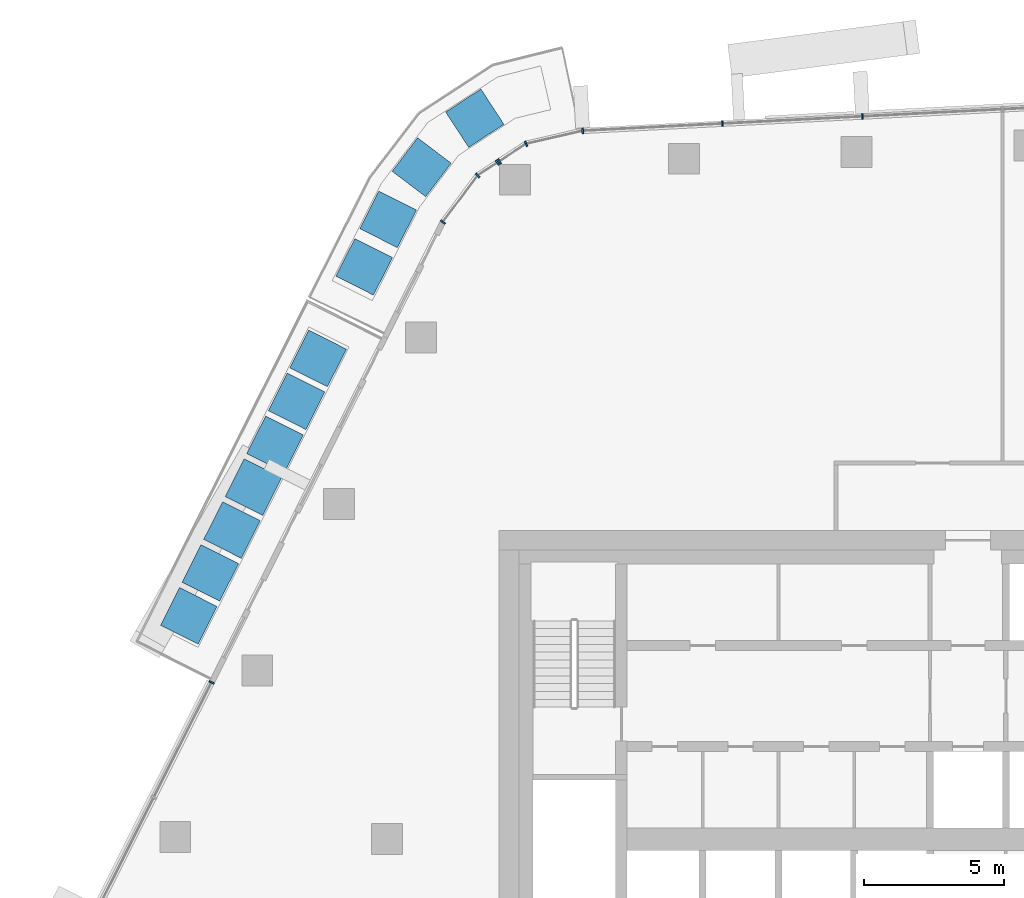
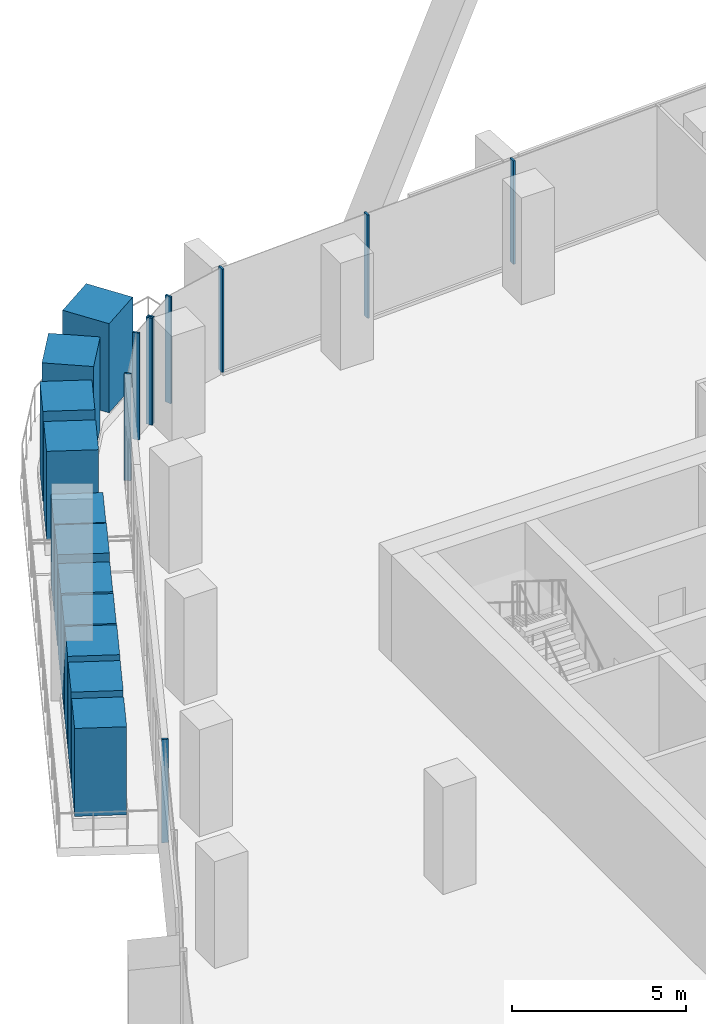
# One storey, part 5 of 20: 20 members, 4 elements without a shape of their own.
"""IFC4 building model written with IfcOpenShell, lengths in metres."""

from ifc_helpers import new_model, si_unit, direction, frame, origin, origin_2d, place, context, subcontext, project, spatial, rectangle, extrude, material, layer, layer_set, material_profile, profile_set, type_object, element, aggregate, save


model = new_model("IFC4")

# Units and contexts
model_context = context("Model", 3, precision=1e-05, world=origin(), true_north=direction((0.0, 1.0)))
body_context = subcontext(model_context, "Body", "Model", "MODEL_VIEW")
ifc_project = project(units=[si_unit("LENGTHUNIT", "METRE"), si_unit("AREAUNIT", "SQUARE_METRE"), si_unit("VOLUMEUNIT", "CUBIC_METRE"), si_unit("PLANEANGLEUNIT", "RADIAN"), si_unit("MASSUNIT", "GRAM", prefix="KILO")], contexts=[model_context])

# Site, building, storey
site_placement = place(None, origin())
site = spatial("IfcSite", under=ifc_project, at=site_placement, CompositionType="ELEMENT")
building_placement = place(site_placement, origin())
building = spatial("IfcBuilding", under=site, at=building_placement, Name="Dongbaek Canopy Tower", CompositionType="ELEMENT")
storey_placement = place(building_placement, frame((0.0, 0.0, 228.60009765625)))
storey = spatial("IfcBuildingStorey", under=building, at=storey_placement, Name="L47", CompositionType="ELEMENT", Elevation=228.60009765625)

# Curtain wall, members
ifc_material_1 = material(Name="Aluminium 6063-T6 pale anodised", Category="aluminium")
ifc_layer = layer(ifc_material_1, 0.199951171875)
ifc_layer_set = layer_set([ifc_layer], Name="CW-1 unitised tower curtain wall")
curtain_wall_type = type_object("IfcCurtainWallType", Name="CW-1 unitised tower curtain wall", PredefinedType="NOTDEFINED", material=ifc_layer_set)
curtain_wall_1_placement = place(storey_placement, origin())
curtain_wall_1 = element("IfcCurtainWall", 1, at=curtain_wall_1_placement, inside=storey, type_object=curtain_wall_type, Name="CW-1 curtain wall F1.1", PredefinedType="NOTDEFINED")
ifc_material_2 = material(Name="Aluminium 6063-T6 pale anodised", Category="aluminium")
ifc_material_profile_1 = material_profile(ifc_material_2, rectangle(XDim=0.199951171875, YDim=0.06005859375, at=origin_2d()), Name="CW-1 mullion 60 x 200")
ifc_profile_set_1 = profile_set([ifc_material_profile_1], Name="Aluminium 6063-T6 pale anodised")
member_type_1 = type_object("IfcMemberType", Name="CW-1 mullion 60 x 200", PredefinedType="MULLION", material=ifc_profile_set_1)
member_1_placement = place(storey_placement, frame((-1.058349609375, 25.747802734375, 0.119873046875), z_axis=(0.0, 0.0, 1.0), x_axis=(-0.051171421559, 0.998689884607, 0.0)))
member_1 = element("IfcMember", 2, at=member_1_placement, type_object=member_type_1, Name="CW-1 mullion F1.1.3", PredefinedType="MULLION", context=body_context, shape_type="SweptSolid", body=[
    extrude(rectangle(XDim=0.199951171875, YDim=0.06005859375, at=origin_2d()), origin(), (0.0, 0.0, 1.0), 3.630126953125),
])
member_2_placement = place(storey_placement, frame((-6.045654296875, 25.492431640625, 0.119873046875), z_axis=(0.0, 0.0, 1.0), x_axis=(-0.051171421559, 0.998689884607, 0.0)))
member_2 = element("IfcMember", 3, at=member_2_placement, type_object=member_type_1, Name="CW-1 mullion F1.1.4", PredefinedType="MULLION", context=body_context, shape_type="SweptSolid", body=[
    extrude(rectangle(XDim=0.199951171875, YDim=0.06005859375, at=origin_2d()), origin(), (0.0, 0.0, 1.0), 3.630126953125),
])
member_3_placement = place(storey_placement, frame((-11.024169921875, 25.2373046875, 0.119873046875), z_axis=(0.0, 0.0, 1.0), x_axis=(-0.051171421559, 0.998689884607, 0.0)))
member_3 = element("IfcMember", 4, at=member_3_placement, type_object=member_type_1, Name="CW-1 mullion F1.1.5", PredefinedType="MULLION", context=body_context, shape_type="SweptSolid", body=[
    extrude(rectangle(XDim=0.199951171875, YDim=0.06005859375, at=origin_2d()), origin(), (0.0, 0.0, 1.0), 3.630126953125),
])
aggregate(curtain_wall_1, [member_1, member_2, member_3])

curtain_wall_2_placement = place(storey_placement, origin())
curtain_wall_2 = element("IfcCurtainWall", 5, at=curtain_wall_2_placement, inside=storey, type_object=curtain_wall_type, Name="CW-1 curtain wall K2.1a", PredefinedType="NOTDEFINED")
member_4_placement = place(storey_placement, frame((-13.041748046875, 24.771484375, 0.0), z_axis=(0.0, 0.0, 1.0), x_axis=(-0.391762610491, 0.920066332946, 0.0)))
member_4 = element("IfcMember", 6, at=member_4_placement, type_object=member_type_1, Name="CW-1 mullion K2.1a.2", PredefinedType="MULLION", context=body_context, shape_type="SweptSolid", body=[
    extrude(rectangle(XDim=0.199951171875, YDim=0.06005859375, at=origin_2d()), origin(), (0.0, 0.0, 1.0), 3.75),
])
member_5_placement = place(storey_placement, frame((-13.994384765625, 24.14990234375, 0.0), z_axis=(0.0, 0.0, 1.0), x_axis=(-0.546536631238, 0.83743519792, 0.0)))
member_5 = element("IfcMember", 7, at=member_5_placement, type_object=member_type_1, Name="CW-1 mullion K2.1a.3", PredefinedType="MULLION", context=body_context, shape_type="SweptSolid", body=[
    extrude(rectangle(XDim=0.199951171875, YDim=0.06005859375, at=origin_2d()), origin(), (0.0, 0.0, 1.0), 3.75),
])
aggregate(curtain_wall_2, [member_4, member_5])

curtain_wall_3_placement = place(storey_placement, origin())
curtain_wall_3 = element("IfcCurtainWall", 8, at=curtain_wall_3_placement, inside=storey, type_object=curtain_wall_type, Name="CW-1 curtain wall K2.1b", PredefinedType="NOTDEFINED")
member_6_placement = place(storey_placement, frame((-14.06298828125, 24.10498046875, 0.0), z_axis=(0.0, 0.0, 1.0), x_axis=(-0.546536631238, 0.83743519792, 0.0)))
member_6 = element("IfcMember", 9, at=member_6_placement, type_object=member_type_1, Name="CW-1 mullion K2.1b.1", PredefinedType="MULLION", context=body_context, shape_type="SweptSolid", body=[
    extrude(rectangle(XDim=0.199951171875, YDim=0.06005859375, at=origin_2d()), origin(), (0.0, 0.0, 1.0), 3.75),
])
member_7_placement = place(storey_placement, frame((-14.768310546875, 23.644775390625, 0.0), z_axis=(0.0, 0.0, 1.0), x_axis=(-0.684486668453, 0.729025377275, 0.0)))
member_7 = element("IfcMember", 10, at=member_7_placement, type_object=member_type_1, Name="CW-1 mullion K2.1b.2", PredefinedType="MULLION", context=body_context, shape_type="SweptSolid", body=[
    extrude(rectangle(XDim=0.199951171875, YDim=0.06005859375, at=origin_2d()), origin(), (0.0, 0.0, 1.0), 3.75),
])
member_8_placement = place(storey_placement, frame((-16.007080078125, 21.9853515625, 0.0), z_axis=(0.0, 0.0, 1.0), x_axis=(-0.801366219635, 0.598174039914, 0.0)))
member_8 = element("IfcMember", 11, at=member_8_placement, type_object=member_type_1, Name="CW-1 mullion K2.1b.3", PredefinedType="MULLION", context=body_context, shape_type="SweptSolid", body=[
    extrude(rectangle(XDim=0.199951171875, YDim=0.06005859375, at=origin_2d()), origin(), (0.0, 0.0, 1.0), 3.75),
])
aggregate(curtain_wall_3, [member_6, member_7, member_8])

# Curtain wall, member
curtain_wall_4_placement = place(storey_placement, origin())
curtain_wall_4 = element("IfcCurtainWall", 12, at=curtain_wall_4_placement, inside=storey, type_object=curtain_wall_type, Name="CW-1 curtain wall F2.1", PredefinedType="NOTDEFINED")
member_9_placement = place(storey_placement, frame((-24.24609375, 5.5849609375, 0.119873046875), z_axis=(0.0, 0.0, 1.0), x_axis=(-0.893577393042, 0.448909169704, 0.0)))
member_9 = element("IfcMember", 13, at=member_9_placement, type_object=member_type_1, Name="CW-1 mullion F2.1.1", PredefinedType="MULLION", context=body_context, shape_type="SweptSolid", body=[
    extrude(rectangle(XDim=0.199951171875, YDim=0.06005859375, at=origin_2d()), origin(), (0.0, 0.0, 1.0), 3.630126953125),
])
aggregate(curtain_wall_4, [member_9])

# Members
ifc_material_3 = material(Name="Concrete C40/50 planter mass with planting", Category="concrete")
ifc_material_profile_2 = material_profile(ifc_material_3, rectangle(XDim=1.5, YDim=1.5, at=origin_2d()), Name="Terrace PLANTER shrub mass 1500 x 1500")
ifc_profile_set_2 = profile_set([ifc_material_profile_2], Name="Concrete C40/50 planter mass with planting")
member_type_2 = type_object("IfcMemberType", Name="Terrace PLANTER shrub mass 1500 x 1500", PredefinedType="USERDEFINED", material=ifc_profile_set_2)
member_10_placement = place(storey_placement, frame((-20.451171875, 17.126220703125, 0.419921875), z_axis=(0.0, 0.0, 1.0), x_axis=(-0.893577393042, 0.448909169704, 0.0)))
element("IfcMember", 14, at=member_10_placement, inside=storey, type_object=member_type_2, Name="Planter shrubs L47 1.1", ObjectType="PLANTER", PredefinedType="USERDEFINED", context=body_context, shape_type="SweptSolid", body=[
    extrude(rectangle(XDim=1.5, YDim=1.5, at=origin_2d()), origin(), (0.0, 0.0, 1.0), 3.090087890625),
])
member_11_placement = place(storey_placement, frame((-21.218994140625, 15.59814453125, 0.419921875), z_axis=(0.0, 0.0, 1.0), x_axis=(-0.893577393042, 0.448909169704, 0.0)))
element("IfcMember", 15, at=member_11_placement, inside=storey, type_object=member_type_2, Name="Planter shrubs L47 1.2", ObjectType="PLANTER", PredefinedType="USERDEFINED", context=body_context, shape_type="SweptSolid", body=[
    extrude(rectangle(XDim=1.5, YDim=1.5, at=origin_2d()), origin(), (0.0, 0.0, 1.0), 3.2099609375),
])
member_12_placement = place(storey_placement, frame((-21.98681640625, 14.06982421875, 0.419921875), z_axis=(0.0, 0.0, 1.0), x_axis=(-0.893577393042, 0.448909169704, 0.0)))
element("IfcMember", 16, at=member_12_placement, inside=storey, type_object=member_type_2, Name="Planter shrubs L47 1.3", ObjectType="PLANTER", PredefinedType="USERDEFINED", context=body_context, shape_type="SweptSolid", body=[
    extrude(rectangle(XDim=1.5, YDim=1.5, at=origin_2d()), origin(), (0.0, 0.0, 1.0), 3.050048828125),
])
member_13_placement = place(storey_placement, frame((-22.75439453125, 12.54150390625, 0.419921875), z_axis=(0.0, 0.0, 1.0), x_axis=(-0.893577393042, 0.448909169704, 0.0)))
element("IfcMember", 17, at=member_13_placement, inside=storey, type_object=member_type_2, Name="Planter shrubs L47 1.4", ObjectType="PLANTER", PredefinedType="USERDEFINED", context=body_context, shape_type="SweptSolid", body=[
    extrude(rectangle(XDim=1.5, YDim=1.5, at=origin_2d()), origin(), (0.0, 0.0, 1.0), 3.1298828125),
])
member_14_placement = place(storey_placement, frame((-23.522216796875, 11.01318359375, 0.419921875), z_axis=(0.0, 0.0, 1.0), x_axis=(-0.893577393042, 0.448909169704, 0.0)))
element("IfcMember", 18, at=member_14_placement, inside=storey, type_object=member_type_2, Name="Planter shrubs L47 1.5", ObjectType="PLANTER", PredefinedType="USERDEFINED", context=body_context, shape_type="SweptSolid", body=[
    extrude(rectangle(XDim=1.5, YDim=1.5, at=origin_2d()), origin(), (0.0, 0.0, 1.0), 3.22998046875),
])
member_15_placement = place(storey_placement, frame((-24.2900390625, 9.485107421875, 0.419921875), z_axis=(0.0, 0.0, 1.0), x_axis=(-0.893577393042, 0.448909169704, 0.0)))
element("IfcMember", 19, at=member_15_placement, inside=storey, type_object=member_type_2, Name="Planter shrubs L47 1.6", ObjectType="PLANTER", PredefinedType="USERDEFINED", context=body_context, shape_type="SweptSolid", body=[
    extrude(rectangle(XDim=1.5, YDim=1.5, at=origin_2d()), origin(), (0.0, 0.0, 1.0), 3.169921875),
])
member_16_placement = place(storey_placement, frame((-25.0576171875, 7.956787109375, 0.419921875), z_axis=(0.0, 0.0, 1.0), x_axis=(-0.893577393042, 0.448909169704, 0.0)))
element("IfcMember", 20, at=member_16_placement, inside=storey, type_object=member_type_2, Name="Planter shrubs L47 1.7", ObjectType="PLANTER", PredefinedType="USERDEFINED", context=body_context, shape_type="SweptSolid", body=[
    extrude(rectangle(XDim=1.5, YDim=1.5, at=origin_2d()), origin(), (0.0, 0.0, 1.0), 3.090087890625),
])
member_17_placement = place(storey_placement, frame((-14.869140625, 25.685302734375, 0.419921875), z_axis=(0.0, 0.0, 1.0), x_axis=(-0.546536631238, 0.83743519792, 0.0)))
element("IfcMember", 21, at=member_17_placement, inside=storey, type_object=member_type_2, Name="Planter shrubs L47 4.1", ObjectType="PLANTER", PredefinedType="USERDEFINED", context=body_context, shape_type="SweptSolid", body=[
    extrude(rectangle(XDim=1.5, YDim=1.5, at=origin_2d()), origin(), (0.0, 0.0, 1.0), 3.1298828125),
])
member_18_placement = place(storey_placement, frame((-16.762451171875, 23.9384765625, 0.419921875), z_axis=(0.0, 0.0, 1.0), x_axis=(-0.796753054147, 0.604305031179, 0.0)))
element("IfcMember", 22, at=member_18_placement, inside=storey, type_object=member_type_2, Name="Planter shrubs L47 4.2", ObjectType="PLANTER", PredefinedType="USERDEFINED", context=body_context, shape_type="SweptSolid", body=[
    extrude(rectangle(XDim=1.5, YDim=1.5, at=origin_2d()), origin(), (0.0, 0.0, 1.0), 3.22998046875),
])
member_19_placement = place(storey_placement, frame((-17.956787109375, 22.08056640625, 0.419921875), z_axis=(0.0, 0.0, 1.0), x_axis=(-0.892804113831, 0.450445129096, 0.0)))
element("IfcMember", 23, at=member_19_placement, inside=storey, type_object=member_type_2, Name="Planter shrubs L47 4.3", ObjectType="PLANTER", PredefinedType="USERDEFINED", context=body_context, shape_type="SweptSolid", body=[
    extrude(rectangle(XDim=1.5, YDim=1.5, at=origin_2d()), origin(), (0.0, 0.0, 1.0), 3.169921875),
])
member_20_placement = place(storey_placement, frame((-18.810302734375, 20.38916015625, 0.419921875), z_axis=(0.0, 0.0, 1.0), x_axis=(-0.892804113831, 0.450445129096, 0.0)))
element("IfcMember", 24, at=member_20_placement, inside=storey, type_object=member_type_2, Name="Planter shrubs L47 4.4", ObjectType="PLANTER", PredefinedType="USERDEFINED", context=body_context, shape_type="SweptSolid", body=[
    extrude(rectangle(XDim=1.5, YDim=1.5, at=origin_2d()), origin(), (0.0, 0.0, 1.0), 3.090087890625),
])

save(model, "model.ifc")
